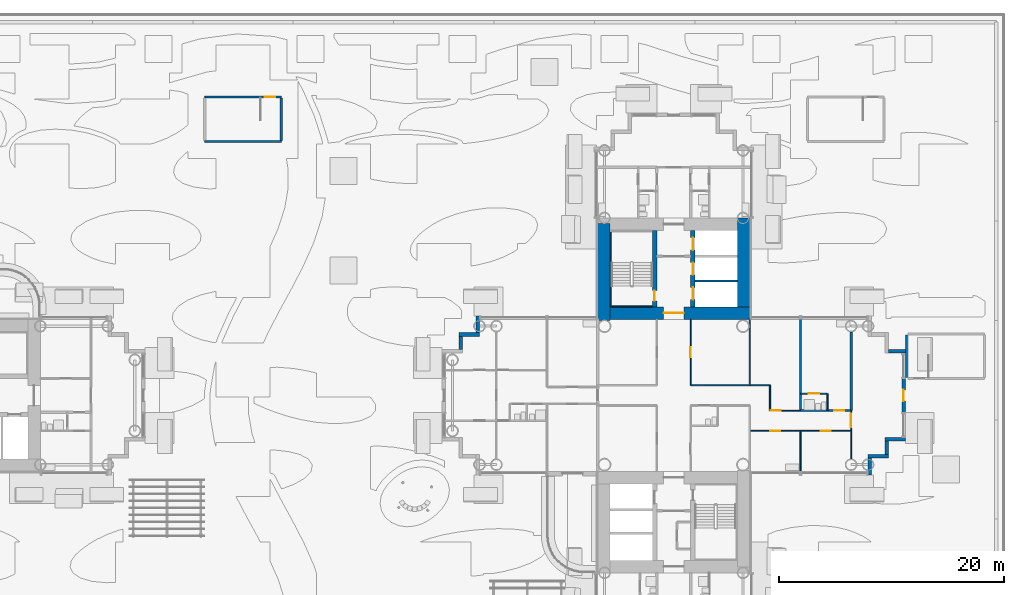
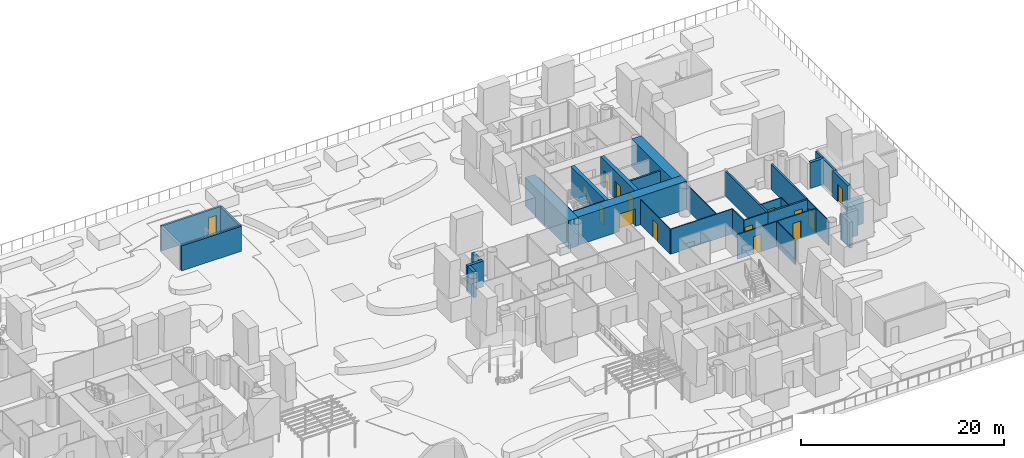
# One storey, part 29 of 40: 34 walls, 14 doors, 14 openings.
"""IFC4 building model written with IfcOpenShell, lengths in metres."""

from ifc_helpers import new_model, si_unit, direction, frame, frame_2d, origin, place, context, subcontext, project, spatial, rectangle, extrude, material, layer, layer_set, type_object, element, fill, save


model = new_model("IFC4")

# Units and contexts
model_context = context("Model", 3, precision=1e-05, world=origin(), true_north=direction((0.0, 1.0)))
body_context = subcontext(model_context, "Body", "Model", "MODEL_VIEW")
ifc_project = project(units=[si_unit("LENGTHUNIT", "METRE"), si_unit("AREAUNIT", "SQUARE_METRE"), si_unit("VOLUMEUNIT", "CUBIC_METRE"), si_unit("PLANEANGLEUNIT", "RADIAN"), si_unit("MASSUNIT", "GRAM", prefix="KILO")], contexts=[model_context])

# Site, building, storey
site_placement = place(None, origin())
site = spatial("IfcSite", under=ifc_project, at=site_placement, CompositionType="ELEMENT")
building_placement = place(site_placement, origin())
building = spatial("IfcBuilding", under=site, at=building_placement, Name="Ipe Terrace Towers", CompositionType="ELEMENT")
storey_placement = place(building_placement, frame((0.0, 0.0, 24.5)))
storey = spatial("IfcBuildingStorey", under=building, at=storey_placement, Name="L05", CompositionType="ELEMENT", Elevation=24.5)

# Walls
ifc_material_1 = material(Name="Concrete C40/50 with buff precast cladding", Category="concrete")
ifc_layer_1 = layer(ifc_material_1, 0.320068359375)
ifc_layer_set_1 = layer_set([ifc_layer_1], Name="BUFF CLADDING WALL 320")
wall_type_1 = type_object("IfcWallType", Name="BUFF CLADDING WALL 320", PredefinedType="STANDARD", material=ifc_layer_set_1)
wall_1_placement = place(storey_placement, frame((53.409912109375, -7.070068359375, 0.0), z_axis=(0.0, 0.0, 1.0), x_axis=(0.0, 1.0, 0.0)))
element("IfcWall", 1, at=wall_1_placement, inside=storey, type_object=wall_type_1, Name="T2-W-L05-08a wall", PredefinedType="STANDARD", context=body_context, shape_type="SweptSolid", body=[
    extrude(rectangle(XDim=1.5, YDim=0.320068359375, at=frame_2d((0.75, 0.0))), origin(), (0.0, 0.0, 1.0), 3.10009765625),
])
wall_2_placement = place(storey_placement, frame((53.25, -5.409912109375, 0.0), z_axis=(0.0, 0.0, 1.0), x_axis=(1.0, 0.0, 0.0)))
element("IfcWall", 2, at=wall_2_placement, inside=storey, type_object=wall_type_1, Name="T2-W-L05-09a wall", PredefinedType="STANDARD", context=body_context, shape_type="SweptSolid", body=[
    extrude(rectangle(XDim=1.820068359375, YDim=0.320068359375, at=frame_2d((0.91015625, 0.0))), origin(), (0.0, 0.0, 1.0), 3.10009765625),
])
wall_3_placement = place(storey_placement, frame((54.909912109375, -5.25, 0.0), z_axis=(0.0, 0.0, 1.0), x_axis=(0.0, 1.0, 0.0)))
element("IfcWall", 3, at=wall_3_placement, inside=storey, type_object=wall_type_1, Name="T2-W-L05-10a wall", PredefinedType="STANDARD", context=body_context, shape_type="SweptSolid", body=[
    extrude(rectangle(XDim=1.179931640625, YDim=0.320068359375, at=frame_2d((0.58984375, 0.0))), origin(), (0.0, 0.0, 1.0), 3.10009765625),
])
wall_4_placement = place(storey_placement, frame((54.75, -3.909912109375, 0.0), z_axis=(0.0, 0.0, 1.0), x_axis=(1.0, 0.0, 0.0)))
element("IfcWall", 4, at=wall_4_placement, inside=storey, type_object=wall_type_1, Name="T2-W-L05-11a wall", PredefinedType="STANDARD", context=body_context, shape_type="SweptSolid", body=[
    extrude(rectangle(XDim=1.820068359375, YDim=0.320068359375, at=frame_2d((0.91015625, 0.0))), origin(), (0.0, 0.0, 1.0), 3.10009765625),
])

# Wall, opening, door
wall_5_placement = place(storey_placement, frame((56.409912109375, -1.5, 0.0), z_axis=(0.0, 0.0, 1.0), x_axis=(0.0, 1.0, 0.0)))
wall_5 = element("IfcWall", 5, at=wall_5_placement, inside=storey, type_object=wall_type_1, Name="T2-W-L05-12b wall", PredefinedType="STANDARD", context=body_context, shape_type="SweptSolid", body=[
    extrude(rectangle(XDim=3.0, YDim=0.320068359375, at=frame_2d((1.5, 0.0))), origin(), (0.0, 0.0, 1.0), 3.10009765625),
])
opening_1_placement = place(wall_5_placement, frame((1.0, 0.0, 0.0)))
opening_1 = element("IfcOpeningElement", 6, at=opening_1_placement, cuts=wall_5, Name="Opening T2-D-L05-12", PredefinedType="OPENING", context=body_context, shape_type="SweptSolid", body=[
    extrude(rectangle(XDim=1.0, YDim=2.10009765625, at=frame_2d((0.5, 1.050048828125))), frame((0.0, 0.169921875, 0.0), z_axis=(0.0, -1.0, 0.0), x_axis=(1.0, 0.0, 0.0)), (0.0, 0.0, 1.0), 0.340087890625),
])
ifc_material_2 = material(Name="Aluminium alloy 6063-T6 framed glazed door", Category="aluminium")
door_type_1 = type_object("IfcDoorType", Name="TERRACE DOOR 1000 x 2100", OperationType="SINGLE_SWING_LEFT", PredefinedType="DOOR", material=ifc_material_2)
door_1_placement = place(opening_1_placement, origin())
door_1 = element("IfcDoor", 7, at=door_1_placement, inside=storey, type_object=door_type_1, Name="DT1 door", OperationType="SINGLE_SWING_LEFT", OverallHeight=2.10009765625, OverallWidth=1.0, PredefinedType="DOOR", context=body_context, shape_type="SweptSolid", body=[
    extrude(rectangle(XDim=1.0, YDim=2.10009765625, at=frame_2d((0.5, 1.050048828125))), frame((0.0, 0.02490234375, 0.0), z_axis=(0.0, -1.0, 0.0), x_axis=(1.0, 0.0, 0.0)), (0.0, 0.0, 1.0), 0.050048828125),
])
fill(opening_1, door_1)

# Walls
for number, where, z_axis, x_axis, name in (
    (8, (56.570068359375, 3.909912109375, 0.0), (0.0, 0.0, 1.0), (-1.0, 0.0, 0.0), "T2-W-L05-13a wall"),
    (9, (18.590087890625, 7.070068359375, 0.0), (0.0, 0.0, 1.0), (0.0, -1.0, 0.0), "T2-W-L05-34a wall"),
):
    element("IfcWall", number, at=place(storey_placement, frame(where, z_axis=z_axis, x_axis=x_axis)), inside=storey, type_object=wall_type_1, Name=name, PredefinedType="STANDARD", context=body_context, shape_type="SweptSolid", body=[
        extrude(rectangle(XDim=1.5, YDim=0.320068359375, at=frame_2d((0.75, 0.0))), origin(), (0.0, 0.0, 1.0), 3.10009765625),
    ])
wall_6_placement = place(storey_placement, frame((18.75, 5.409912109375, 0.0), z_axis=(0.0, 0.0, 1.0), x_axis=(-1.0, 0.0, 0.0)))
element("IfcWall", 10, at=wall_6_placement, inside=storey, type_object=wall_type_1, Name="T2-W-L05-35a wall", PredefinedType="STANDARD", context=body_context, shape_type="SweptSolid", body=[
    extrude(rectangle(XDim=1.820068359375, YDim=0.320068359375, at=frame_2d((0.91015625, 0.0))), origin(), (0.0, 0.0, 1.0), 3.10009765625),
])
wall_7_placement = place(storey_placement, frame((17.090087890625, 5.25, 0.0), z_axis=(0.0, 0.0, 1.0), x_axis=(0.0, -1.0, 0.0)))
element("IfcWall", 11, at=wall_7_placement, inside=storey, type_object=wall_type_1, Name="T2-W-L05-36a wall", PredefinedType="STANDARD", context=body_context, shape_type="SweptSolid", body=[
    extrude(rectangle(XDim=1.179931640625, YDim=0.320068359375, at=frame_2d((0.58984375, 0.0))), origin(), (0.0, 0.0, 1.0), 3.10009765625),
])

# Wall, openings, doors
ifc_material_3 = material(Name="Gypsum board partition", Category="plasterboard")
ifc_layer_2 = layer(ifc_material_3, 0.10009765625)
ifc_layer_set_2 = layer_set([ifc_layer_2], Name="Gypsum board partition 100 mm")
wall_type_2 = type_object("IfcWallType", Name="Gypsum board partition 100 mm", PredefinedType="PARTITIONING", material=ifc_layer_set_2)
wall_8_placement = place(storey_placement, frame((51.75, -3.14990234375, 0.0), z_axis=(0.0, 0.0, 1.0), x_axis=(-1.0, 0.0, 0.0)))
wall_8 = element("IfcWall", 12, at=wall_8_placement, inside=storey, type_object=wall_type_2, Name="Gypsum board partition T2 L05 W06", PredefinedType="PARTITIONING", context=body_context, shape_type="SweptSolid", body=[
    extrude(rectangle(XDim=9.0, YDim=0.10009765625, at=frame_2d((4.5, 0.0))), origin(), (0.0, 0.0, 1.0), 3.0),
])
opening_2_placement = place(wall_8_placement, frame((6.300048828125, 0.0, 0.0)))
opening_2 = element("IfcOpeningElement", 13, at=opening_2_placement, cuts=wall_8, Name="Opening T2-Z1A-19", PredefinedType="OPENING", context=body_context, shape_type="SweptSolid", body=[
    extrude(rectangle(XDim=0.89990234375, YDim=2.10009765625, at=frame_2d((0.449951171875, 1.050048828125))), frame((0.0, 0.06005859375, 0.0), z_axis=(0.0, -1.0, 0.0), x_axis=(1.0, 0.0, 0.0)), (0.0, 0.0, 1.0), 0.1201171875),
])
opening_3_placement = place(wall_8_placement, frame((1.800048828125, 0.0, 0.0)))
opening_3 = element("IfcOpeningElement", 14, at=opening_3_placement, cuts=wall_8, Name="Opening T2-Z1A-20", PredefinedType="OPENING", context=body_context, shape_type="SweptSolid", body=[
    extrude(rectangle(XDim=0.89990234375, YDim=2.10009765625, at=frame_2d((0.449951171875, 1.050048828125))), frame((0.0, 0.06005859375, 0.0), z_axis=(0.0, -1.0, 0.0), x_axis=(1.0, 0.0, 0.0)), (0.0, 0.0, 1.0), 0.1201171875),
])
ifc_material_4 = material(Name="Timber door leaf", Category="wood")
door_type_2 = type_object("IfcDoorType", Name="Lounge door 900 x 2100", OperationType="NOTDEFINED", PredefinedType="DOOR", material=ifc_material_4)
door_2_placement = place(opening_2_placement, origin())
door_2 = element("IfcDoor", 15, at=door_2_placement, inside=storey, type_object=door_type_2, Name="Lounge door T2-Z1A-19", OperationType="SINGLE_SWING_LEFT", OverallHeight=2.10009765625, OverallWidth=0.89990234375, PredefinedType="DOOR", context=body_context, shape_type="SweptSolid", body=[
    extrude(rectangle(XDim=0.89990234375, YDim=2.10009765625, at=frame_2d((0.449951171875, 1.050048828125))), frame((0.0, 0.02490234375, 0.0), z_axis=(0.0, -1.0, 0.0), x_axis=(1.0, 0.0, 0.0)), (0.0, 0.0, 1.0), 0.050048828125),
])
fill(opening_2, door_2)
door_3_placement = place(opening_3_placement, origin())
door_3 = element("IfcDoor", 16, at=door_3_placement, inside=storey, type_object=door_type_2, Name="Lounge door T2-Z1A-20", OperationType="SINGLE_SWING_RIGHT", OverallHeight=2.10009765625, OverallWidth=0.89990234375, PredefinedType="DOOR", context=body_context, shape_type="SweptSolid", body=[
    extrude(rectangle(XDim=0.89990234375, YDim=2.10009765625, at=frame_2d((0.449951171875, 1.050048828125))), frame((0.0, 0.02490234375, 0.0), z_axis=(0.0, -1.0, 0.0), x_axis=(1.0, 0.0, 0.0)), (0.0, 0.0, 1.0), 0.050048828125),
])
fill(opening_3, door_3)

# Wall, opening, door
wall_9_placement = place(storey_placement, frame((47.25, -1.35009765625, 0.0), z_axis=(0.0, 0.0, 1.0), x_axis=(-1.0, 0.0, 0.0)))
wall_9 = element("IfcWall", 17, at=wall_9_placement, inside=storey, type_object=wall_type_2, Name="Gypsum board partition T2 L05 W09", PredefinedType="PARTITIONING", context=body_context, shape_type="SweptSolid", body=[
    extrude(rectangle(XDim=2.699951171875, YDim=0.10009765625, at=frame_2d((1.35009765625, 0.0))), origin(), (0.0, 0.0, 1.0), 3.0),
])
opening_4_placement = place(wall_9_placement, frame((1.72998046875, 0.0, 0.0)))
opening_4 = element("IfcOpeningElement", 18, at=opening_4_placement, cuts=wall_9, Name="Opening T2-Z1A-16", PredefinedType="OPENING", context=body_context, shape_type="SweptSolid", body=[
    extrude(rectangle(XDim=0.89990234375, YDim=2.10009765625, at=frame_2d((0.449951171875, 1.050048828125))), frame((0.0, 0.06005859375, 0.0), z_axis=(0.0, -1.0, 0.0), x_axis=(1.0, 0.0, 0.0)), (0.0, 0.0, 1.0), 0.1201171875),
])
door_4_placement = place(opening_4_placement, origin())
door_4 = element("IfcDoor", 19, at=door_4_placement, inside=storey, type_object=door_type_2, Name="Lounge door T2-Z1A-16", OperationType="SINGLE_SWING_RIGHT", OverallHeight=2.10009765625, OverallWidth=0.89990234375, PredefinedType="DOOR", context=body_context, shape_type="SweptSolid", body=[
    extrude(rectangle(XDim=0.89990234375, YDim=2.10009765625, at=frame_2d((0.449951171875, 1.050048828125))), frame((0.0, 0.02490234375, 0.0), z_axis=(0.0, -1.0, 0.0), x_axis=(1.0, 0.0, 0.0)), (0.0, 0.0, 1.0), 0.050048828125),
])
fill(opening_4, door_4)

wall_10_placement = place(storey_placement, frame((49.64990234375, 0.14990234375, 0.0), z_axis=(0.0, 0.0, 1.0), x_axis=(-1.0, 0.0, 0.0)))
wall_10 = element("IfcWall", 20, at=wall_10_placement, inside=storey, type_object=wall_type_2, Name="Gypsum board partition T2 L05 W14", PredefinedType="PARTITIONING", context=body_context, shape_type="SweptSolid", body=[
    extrude(rectangle(XDim=2.39990234375, YDim=0.10009765625, at=frame_2d((1.199951171875, 0.0))), origin(), (0.0, 0.0, 1.0), 3.0),
])
opening_5_placement = place(wall_10_placement, frame((0.75, 0.0, 0.0)))
opening_5 = element("IfcOpeningElement", 21, at=opening_5_placement, cuts=wall_10, Name="Opening T2-Z1A-18", PredefinedType="OPENING", context=body_context, shape_type="SweptSolid", body=[
    extrude(rectangle(XDim=0.89990234375, YDim=2.10009765625, at=frame_2d((0.449951171875, 1.050048828125))), frame((0.0, 0.06005859375, 0.0), z_axis=(0.0, -1.0, 0.0), x_axis=(1.0, 0.0, 0.0)), (0.0, 0.0, 1.0), 0.1201171875),
])
ifc_material_5 = material(Name="Timber door leaf", Category="wood")
door_type_3 = type_object("IfcDoorType", Name="Bathroom door 900 x 2100", OperationType="NOTDEFINED", PredefinedType="DOOR", material=ifc_material_5)
door_5_placement = place(opening_5_placement, origin())
door_5 = element("IfcDoor", 22, at=door_5_placement, inside=storey, type_object=door_type_3, Name="Bathroom door T2-Z1A-18", OperationType="SINGLE_SWING_LEFT", OverallHeight=2.10009765625, OverallWidth=0.89990234375, PredefinedType="DOOR", context=body_context, shape_type="SweptSolid", body=[
    extrude(rectangle(XDim=0.89990234375, YDim=2.10009765625, at=frame_2d((0.449951171875, 1.050048828125))), frame((0.0, 0.02490234375, 0.0), z_axis=(0.0, -1.0, 0.0), x_axis=(1.0, 0.0, 0.0)), (0.0, 0.0, 1.0), 0.050048828125),
])
fill(opening_5, door_5)

# Wall
wall_11_placement = place(storey_placement, frame((44.550048828125, 0.89990234375, 0.0), z_axis=(0.0, 0.0, 1.0), x_axis=(-1.0, 0.0, 0.0)))
element("IfcWall", 23, at=wall_11_placement, inside=storey, type_object=wall_type_2, Name="Gypsum board partition T2 L05 W16", PredefinedType="PARTITIONING", context=body_context, shape_type="SweptSolid", body=[
    extrude(rectangle(XDim=7.050048828125, YDim=0.10009765625, at=frame_2d((3.52490234375, 0.0))), origin(), (0.0, 0.0, 1.0), 3.0),
])

# Wall, opening, door
wall_12_placement = place(storey_placement, frame((51.75, -5.64990234375, 0.0), z_axis=(0.0, 0.0, 1.0), x_axis=(0.0, 1.0, 0.0)))
wall_12 = element("IfcWall", 24, at=wall_12_placement, inside=storey, type_object=wall_type_2, Name="Gypsum board partition T2 L05 W24", PredefinedType="PARTITIONING", context=body_context, shape_type="SweptSolid", body=[
    extrude(rectangle(XDim=4.2998046875, YDim=0.10009765625, at=frame_2d((2.14990234375, 0.0))), origin(), (0.0, 0.0, 1.0), 3.0),
])
opening_6_placement = place(wall_12_placement, frame((2.800048828125, 0.0, 0.0)))
opening_6 = element("IfcOpeningElement", 25, at=opening_6_placement, cuts=wall_12, Name="Opening T2-Z1A-21", PredefinedType="OPENING", context=body_context, shape_type="SweptSolid", body=[
    extrude(rectangle(XDim=1.199951171875, YDim=2.10009765625, at=frame_2d((0.60009765625, 1.050048828125))), frame((0.0, 0.06005859375, 0.0), z_axis=(0.0, -1.0, 0.0), x_axis=(1.0, 0.0, 0.0)), (0.0, 0.0, 1.0), 0.1201171875),
])
ifc_material_6 = material(Name="Timber door leaf", Category="wood")
door_type_4 = type_object("IfcDoorType", Name="Lounge door 1200 x 2100", OperationType="NOTDEFINED", PredefinedType="DOOR", material=ifc_material_6)
door_6_placement = place(opening_6_placement, origin())
door_6 = element("IfcDoor", 26, at=door_6_placement, inside=storey, type_object=door_type_4, Name="Lounge door T2-Z1A-21", OperationType="SINGLE_SWING_RIGHT", OverallHeight=2.10009765625, OverallWidth=1.199951171875, PredefinedType="DOOR", context=body_context, shape_type="SweptSolid", body=[
    extrude(rectangle(XDim=1.199951171875, YDim=2.10009765625, at=frame_2d((0.60009765625, 1.050048828125))), frame((0.0, 0.02490234375, 0.0), z_axis=(0.0, -1.0, 0.0), x_axis=(1.0, 0.0, 0.0)), (0.0, 0.0, 1.0), 0.050048828125),
])
fill(opening_6, door_6)

# Walls
wall_13_placement = place(storey_placement, frame((49.64990234375, -1.35009765625, 0.0), z_axis=(0.0, 0.0, 1.0), x_axis=(0.0, 1.0, 0.0)))
element("IfcWall", 27, at=wall_13_placement, inside=storey, type_object=wall_type_2, Name="Gypsum board partition T2 L05 W26", PredefinedType="PARTITIONING", context=body_context, shape_type="SweptSolid", body=[
    extrude(rectangle(XDim=1.5, YDim=0.10009765625, at=frame_2d((0.75, 0.0))), origin(), (0.0, 0.0, 1.0), 3.0),
])
wall_14_placement = place(storey_placement, frame((47.25, -6.85009765625, 0.0), z_axis=(0.0, 0.0, 1.0), x_axis=(0.0, 1.0, 0.0)))
element("IfcWall", 28, at=wall_14_placement, inside=storey, type_object=wall_type_2, Name="Gypsum board partition T2 L05 W27", PredefinedType="PARTITIONING", context=body_context, shape_type="SweptSolid", body=[
    extrude(rectangle(XDim=3.7001953125, YDim=0.10009765625, at=frame_2d((1.85009765625, 0.0))), origin(), (0.0, 0.0, 1.0), 3.0),
])
wall_15_placement = place(storey_placement, frame((44.550048828125, -1.35009765625, 0.0), z_axis=(0.0, 0.0, 1.0), x_axis=(0.0, 1.0, 0.0)))
element("IfcWall", 29, at=wall_15_placement, inside=storey, type_object=wall_type_2, Name="Gypsum board partition T2 L05 W29", PredefinedType="PARTITIONING", context=body_context, shape_type="SweptSolid", body=[
    extrude(rectangle(XDim=2.25, YDim=0.10009765625, at=frame_2d((1.125, 0.0))), origin(), (0.0, 0.0, 1.0), 3.0),
])
wall_16_placement = place(storey_placement, frame((42.75, 0.89990234375, 0.0), z_axis=(0.0, 0.0, 1.0), x_axis=(0.0, 1.0, 0.0)))
element("IfcWall", 30, at=wall_16_placement, inside=storey, type_object=wall_type_2, Name="Gypsum board partition T2 L05 W31", PredefinedType="PARTITIONING", context=body_context, shape_type="SweptSolid", body=[
    extrude(rectangle(XDim=5.9501953125, YDim=0.10009765625, at=frame_2d((2.97509765625, 0.0))), origin(), (0.0, 0.0, 1.0), 3.0),
])

# Wall, opening, door
wall_17_placement = place(storey_placement, frame((37.5, 0.89990234375, 0.0), z_axis=(0.0, 0.0, 1.0), x_axis=(0.0, 1.0, 0.0)))
wall_17 = element("IfcWall", 31, at=wall_17_placement, inside=storey, type_object=wall_type_2, Name="Gypsum board partition T2 L05 W36", PredefinedType="PARTITIONING", context=body_context, shape_type="SweptSolid", body=[
    extrude(rectangle(XDim=5.85009765625, YDim=0.10009765625, at=frame_2d((2.925048828125, 0.0))), origin(), (0.0, 0.0, 1.0), 3.0),
])
opening_7_placement = place(wall_17_placement, frame((2.47509765625, 0.0, 0.0)))
opening_7 = element("IfcOpeningElement", 32, at=opening_7_placement, cuts=wall_17, Name="Opening T2-Z1A-05", PredefinedType="OPENING", context=body_context, shape_type="SweptSolid", body=[
    extrude(rectangle(XDim=0.89990234375, YDim=2.10009765625, at=frame_2d((0.449951171875, 1.050048828125))), frame((0.0, 0.06005859375, 0.0), z_axis=(0.0, -1.0, 0.0), x_axis=(1.0, 0.0, 0.0)), (0.0, 0.0, 1.0), 0.1201171875),
])
door_7_placement = place(opening_7_placement, origin())
door_7 = element("IfcDoor", 33, at=door_7_placement, inside=storey, type_object=door_type_2, Name="Lounge door T2-Z1A-05", OperationType="SINGLE_SWING_RIGHT", OverallHeight=2.10009765625, OverallWidth=0.89990234375, PredefinedType="DOOR", context=body_context, shape_type="SweptSolid", body=[
    extrude(rectangle(XDim=0.89990234375, YDim=2.10009765625, at=frame_2d((0.449951171875, 1.050048828125))), frame((0.0, 0.02490234375, 0.0), z_axis=(0.0, -1.0, 0.0), x_axis=(1.0, 0.0, 0.0)), (0.0, 0.0, 1.0), 0.050048828125),
])
fill(opening_7, door_7)

# Wall
ifc_material_7 = material(Name="Gypsum board party wall", Category="plasterboard")
ifc_layer_3 = layer(ifc_material_7, 0.199951171875)
ifc_layer_set_3 = layer_set([ifc_layer_3], Name="Gypsum board party wall 200 mm")
wall_type_3 = type_object("IfcWallType", Name="Gypsum board party wall 200 mm", PredefinedType="SOLIDWALL", material=ifc_layer_set_3)
wall_18_placement = place(storey_placement, frame((41.64990234375, 10.14990234375, 0.0), z_axis=(0.0, 0.0, 1.0), x_axis=(-1.0, 0.0, 0.0)))
element("IfcWall", 34, at=wall_18_placement, inside=storey, type_object=wall_type_3, Name="Gypsum board party wall T2 L05 t2c1-shaft-div1", PredefinedType="SOLIDWALL", context=body_context, shape_type="SweptSolid", body=[
    extrude(rectangle(XDim=3.75, YDim=0.199951171875, at=frame_2d((1.875, 0.0))), origin(), (0.0, 0.0, 1.0), 3.0),
])

# Wall, opening, door
wall_19_placement = place(storey_placement, frame((51.75, -1.35009765625, 0.0), z_axis=(0.0, 0.0, 1.0), x_axis=(-1.0, 0.0, 0.0)))
wall_19 = element("IfcWall", 35, at=wall_19_placement, inside=storey, type_object=wall_type_3, Name="Gypsum board party wall T2 L05 W10", PredefinedType="SOLIDWALL", context=body_context, shape_type="SweptSolid", body=[
    extrude(rectangle(XDim=4.5, YDim=0.199951171875, at=frame_2d((2.25, 0.0))), origin(), (0.0, 0.0, 1.0), 3.0),
])
opening_8_placement = place(wall_19_placement, frame((0.60009765625, 0.0, 0.0)))
opening_8 = element("IfcOpeningElement", 36, at=opening_8_placement, cuts=wall_19, Name="Opening T2-Z1A-17", PredefinedType="OPENING", context=body_context, shape_type="SweptSolid", body=[
    extrude(rectangle(XDim=0.89990234375, YDim=2.10009765625, at=frame_2d((0.449951171875, 1.050048828125))), frame((0.0, 0.10986328125, 0.0), z_axis=(0.0, -1.0, 0.0), x_axis=(1.0, 0.0, 0.0)), (0.0, 0.0, 1.0), 0.219970703125),
])
ifc_material_8 = material(Name="Fire-rated timber door leaf", Category="wood")
door_type_5 = type_object("IfcDoorType", Name="Flat entrance door 900 x 2100 FD30S", OperationType="NOTDEFINED", PredefinedType="DOOR", material=ifc_material_8)
door_8_placement = place(opening_8_placement, origin())
door_8 = element("IfcDoor", 37, at=door_8_placement, inside=storey, type_object=door_type_5, Name="Flat entrance door T2-Z1A-17", OperationType="SINGLE_SWING_LEFT", OverallHeight=2.10009765625, OverallWidth=0.89990234375, PredefinedType="DOOR", context=body_context, shape_type="SweptSolid", body=[
    extrude(rectangle(XDim=0.89990234375, YDim=2.10009765625, at=frame_2d((0.449951171875, 1.050048828125))), frame((0.0, 0.02490234375, 0.0), z_axis=(0.0, -1.0, 0.0), x_axis=(1.0, 0.0, 0.0)), (0.0, 0.0, 1.0), 0.050048828125),
])
fill(opening_8, door_8)

# Walls
wall_20_placement = place(storey_placement, frame((51.75, -1.35009765625, 0.0), z_axis=(0.0, 0.0, 1.0), x_axis=(0.0, 1.0, 0.0)))
element("IfcWall", 38, at=wall_20_placement, inside=storey, type_object=wall_type_3, Name="Gypsum board party wall T2 L05 W25", PredefinedType="SOLIDWALL", context=body_context, shape_type="SweptSolid", body=[
    extrude(rectangle(XDim=7.0, YDim=0.199951171875, at=frame_2d((3.5, 0.0))), origin(), (0.0, 0.0, 1.0), 3.0),
])
wall_21_placement = place(storey_placement, frame((47.25, -1.35009765625, 0.0), z_axis=(0.0, 0.0, 1.0), x_axis=(0.0, 1.0, 0.0)))
element("IfcWall", 39, at=wall_21_placement, inside=storey, type_object=wall_type_3, Name="Gypsum board party wall T2 L05 W28", PredefinedType="SOLIDWALL", context=body_context, shape_type="SweptSolid", body=[
    extrude(rectangle(XDim=8.2001953125, YDim=0.199951171875, at=frame_2d((4.10009765625, 0.0))), origin(), (0.0, 0.0, 1.0), 3.0),
])
ifc_material_9 = material(Name="Concrete C60/75", Category="concrete")
ifc_layer_4 = layer(ifc_material_9, 0.10009765625)
ifc_layer_set_4 = layer_set([ifc_layer_4], Name="RW100 CORE INFILL WALL 100 C60-75")
wall_type_4 = type_object("IfcWallType", Name="RW100 CORE INFILL WALL 100 C60-75", PredefinedType="SHEAR", material=ifc_layer_set_4)
wall_22_placement = place(storey_placement, frame((30.39990234375, 7.949951171875, 0.0), z_axis=(0.0, 0.0, 1.0), x_axis=(0.0, 1.0, 0.0)))
element("IfcWall", 40, at=wall_22_placement, inside=storey, type_object=wall_type_4, Name="Core infill wall T2-C1-back", PredefinedType="SHEAR", context=body_context, shape_type="SweptSolid", body=[
    extrude(rectangle(XDim=6.60009765625, YDim=0.10009765625, at=frame_2d((3.300048828125, 0.0))), origin(), (0.0, 0.0, 1.0), 3.39990234375),
])
wall_23_placement = place(storey_placement, frame((34.10009765625, 7.89990234375, 0.0), z_axis=(0.0, 0.0, 1.0), x_axis=(-1.0, 0.0, 0.0)))
element("IfcWall", 41, at=wall_23_placement, inside=storey, type_object=wall_type_4, Name="Core infill wall T2-C1-near", PredefinedType="SHEAR", context=body_context, shape_type="SweptSolid", body=[
    extrude(rectangle(XDim=3.75, YDim=0.10009765625, at=frame_2d((1.875, 0.0))), origin(), (0.0, 0.0, 1.0), 3.39990234375),
])

# Wall, opening, door
ifc_material_10 = material(Name="Concrete C60/75", Category="concrete")
ifc_layer_5 = layer(ifc_material_10, 1.10009765625)
ifc_layer_set_5 = layer_set([ifc_layer_5], Name="RW1100 CORE WALL 1100 C60-75")
wall_type_5 = type_object("IfcWallType", Name="RW1100 CORE WALL 1100 C60-75", PredefinedType="SHEAR", material=ifc_layer_set_5)
wall_24_placement = place(storey_placement, frame((30.35009765625, 7.300048828125, 0.0), z_axis=(0.0, 0.0, 1.0), x_axis=(1.0, 0.0, 0.0)))
wall_24 = element("IfcWall", 42, at=wall_24_placement, inside=storey, type_object=wall_type_5, Name="Core wall T2-C1-Z1-W01", PredefinedType="SHEAR", context=body_context, shape_type="SweptSolid", body=[
    extrude(rectangle(XDim=12.39990234375, YDim=1.10009765625, at=frame_2d((6.199951171875, 0.0))), origin(), (0.0, 0.0, 1.0), 3.39990234375),
])
opening_9_placement = place(wall_24_placement, frame((4.75, 0.0, 0.0)))
opening_9 = element("IfcOpeningElement", 43, at=opening_9_placement, cuts=wall_24, Name="Opening T2C1-ND", PredefinedType="OPENING", context=body_context, shape_type="SweptSolid", body=[
    extrude(rectangle(XDim=1.800048828125, YDim=2.10009765625, at=frame_2d((0.89990234375, 1.050048828125))), frame((0.0, 0.56005859375, 0.0), z_axis=(0.0, -1.0, 0.0), x_axis=(1.0, 0.0, 0.0)), (0.0, 0.0, 1.0), 1.1201171875),
])
ifc_material_11 = material(Name="Fire-rated timber door leaf", Category="wood")
door_type_6 = type_object("IfcDoorType", Name="Fire door 1800 x 2100 FD30S", OperationType="NOTDEFINED", PredefinedType="DOOR", material=ifc_material_11)
door_9_placement = place(opening_9_placement, origin())
door_9 = element("IfcDoor", 44, at=door_9_placement, inside=storey, type_object=door_type_6, Name="Fire door T2C1-ND", OperationType="SINGLE_SWING_LEFT", OverallHeight=2.10009765625, OverallWidth=1.800048828125, PredefinedType="DOOR", context=body_context, shape_type="SweptSolid", body=[
    extrude(rectangle(XDim=1.800048828125, YDim=2.10009765625, at=frame_2d((0.89990234375, 1.050048828125))), frame((0.0, 0.02490234375, 0.0), z_axis=(0.0, -1.0, 0.0), x_axis=(1.0, 0.0, 0.0)), (0.0, 0.0, 1.0), 0.050048828125),
])
fill(opening_9, door_9)

# Walls
wall_25_placement = place(storey_placement, frame((42.199951171875, 7.85009765625, 0.0), z_axis=(0.0, 0.0, 1.0), x_axis=(0.0, 1.0, 0.0)))
element("IfcWall", 45, at=wall_25_placement, inside=storey, type_object=wall_type_5, Name="Core wall T2-C1-Z1-W02", PredefinedType="SHEAR", context=body_context, shape_type="SweptSolid", body=[
    extrude(rectangle(XDim=7.89990234375, YDim=1.10009765625, at=frame_2d((3.949951171875, 0.0))), origin(), (0.0, 0.0, 1.0), 3.39990234375),
])
wall_26_placement = place(storey_placement, frame((29.800048828125, 15.248046875, 0.0), z_axis=(0.0, 0.0, 1.0), x_axis=(0.0, -1.0, 0.0)))
element("IfcWall", 46, at=wall_26_placement, inside=storey, type_object=wall_type_5, Name="Core wall T2-C1-Z1-W04", PredefinedType="SHEAR", context=body_context, shape_type="SweptSolid", body=[
    extrude(rectangle(XDim=8.595947265625, YDim=1.10009765625, at=frame_2d((4.2978515625, 0.0))), origin(), (0.0, 0.0, 1.0), 3.39990234375),
])

# Wall, opening, door
ifc_material_12 = material(Name="Concrete C40/50", Category="concrete")
ifc_layer_6 = layer(ifc_material_12, 0.199951171875)
ifc_layer_set_6 = layer_set([ifc_layer_6], Name="RW200 PODIUM STAIR SHAFT WALL 200 C40-50")
wall_type_6 = type_object("IfcWallType", Name="RW200 PODIUM STAIR SHAFT WALL 200 C40-50", PredefinedType="SHEAR", material=ifc_layer_set_6)
wall_27_placement = place(storey_placement, frame((-5.64990234375, 26.5, 0.0), z_axis=(0.0, 0.0, 1.0), x_axis=(1.0, 0.0, 0.0)))
wall_27 = element("IfcWall", 47, at=wall_27_placement, inside=storey, type_object=wall_type_6, Name="Stair shaft wall T1 L05 ps2-c", PredefinedType="SHEAR", context=body_context, shape_type="SweptSolid", body=[
    extrude(rectangle(XDim=6.7998046875, YDim=0.199951171875, at=frame_2d((3.39990234375, 0.0))), origin(), (0.0, 0.0, 1.0), 3.0),
])
opening_10_placement = place(wall_27_placement, frame((5.35009765625, 0.0, 0.0)))
opening_10 = element("IfcOpeningElement", 48, at=opening_10_placement, cuts=wall_27, Name="Opening PS2-SD", PredefinedType="OPENING", context=body_context, shape_type="SweptSolid", body=[
    extrude(rectangle(XDim=0.89990234375, YDim=2.10009765625, at=frame_2d((0.449951171875, 1.050048828125))), frame((0.0, 0.10986328125, 0.0), z_axis=(0.0, -1.0, 0.0), x_axis=(1.0, 0.0, 0.0)), (0.0, 0.0, 1.0), 0.219970703125),
])
ifc_material_13 = material(Name="Fire-rated timber door leaf", Category="wood")
door_type_7 = type_object("IfcDoorType", Name="Stair door 900 x 2100 FD60", OperationType="NOTDEFINED", PredefinedType="DOOR", material=ifc_material_13)
door_10_placement = place(opening_10_placement, origin())
door_10 = element("IfcDoor", 49, at=door_10_placement, inside=storey, type_object=door_type_7, Name="Stair door PS2-SD", OperationType="SINGLE_SWING_LEFT", OverallHeight=2.10009765625, OverallWidth=0.89990234375, PredefinedType="DOOR", context=body_context, shape_type="SweptSolid", body=[
    extrude(rectangle(XDim=0.89990234375, YDim=2.10009765625, at=frame_2d((0.449951171875, 1.050048828125))), frame((0.0, 0.02490234375, 0.0), z_axis=(0.0, -1.0, 0.0), x_axis=(1.0, 0.0, 0.0)), (0.0, 0.0, 1.0), 0.050048828125),
])
fill(opening_10, door_10)

# Walls
wall_28_placement = place(storey_placement, frame((-5.64990234375, 22.550048828125, 0.0), z_axis=(0.0, 0.0, 1.0), x_axis=(1.0, 0.0, 0.0)))
element("IfcWall", 50, at=wall_28_placement, inside=storey, type_object=wall_type_6, Name="Stair shaft wall T1 L05 ps2-f", PredefinedType="SHEAR", context=body_context, shape_type="SweptSolid", body=[
    extrude(rectangle(XDim=6.7998046875, YDim=0.199951171875, at=frame_2d((3.39990234375, 0.0))), origin(), (0.0, 0.0, 1.0), 3.0),
])
for number, where, z_axis, x_axis, name in (
    (51, (1.14990234375, 22.64990234375, 0.0), (0.0, 0.0, 1.0), (0.0, 1.0, 0.0), "Stair shaft wall T1 L05 ps2-e"),
    (52, (56.659912109375, 1.60009765625, 0.0), (0.0, 0.0, 1.0), (0.0, 1.0, 0.0), "Stair shaft wall T2 L05 ps8-w"),
):
    element("IfcWall", number, at=place(storey_placement, frame(where, z_axis=z_axis, x_axis=x_axis)), inside=storey, type_object=wall_type_6, Name=name, PredefinedType="SHEAR", context=body_context, shape_type="SweptSolid", body=[
        extrude(rectangle(XDim=3.75, YDim=0.199951171875, at=frame_2d((1.875, 0.0))), origin(), (0.0, 0.0, 1.0), 3.0),
    ])

# Wall, opening, door
ifc_material_14 = material(Name="Concrete C60/75", Category="concrete")
ifc_layer_7 = layer(ifc_material_14, 0.39990234375)
ifc_layer_set_7 = layer_set([ifc_layer_7], Name="RW400 CORE SPINE WALL 400 C60-75")
wall_type_7 = type_object("IfcWallType", Name="RW400 CORE SPINE WALL 400 C60-75", PredefinedType="SHEAR", material=ifc_layer_set_7)
wall_29_placement = place(storey_placement, frame((34.300048828125, 7.85009765625, 0.0), z_axis=(0.0, 0.0, 1.0), x_axis=(0.0, 1.0, 0.0)))
wall_29 = element("IfcWall", 53, at=wall_29_placement, inside=storey, type_object=wall_type_7, Name="Core spine wall T2-C1-Z1-SW1", PredefinedType="SHEAR", context=body_context, shape_type="SweptSolid", body=[
    extrude(rectangle(XDim=6.7998046875, YDim=0.39990234375, at=frame_2d((3.39990234375, 0.0))), origin(), (0.0, 0.0, 1.0), 3.39990234375),
])
opening_11_placement = place(wall_29_placement, frame((0.550048828125, 0.0, 0.0)))
opening_11 = element("IfcOpeningElement", 54, at=opening_11_placement, cuts=wall_29, Name="Opening T2C1-SD", PredefinedType="OPENING", context=body_context, shape_type="SweptSolid", body=[
    extrude(rectangle(XDim=0.89990234375, YDim=2.10009765625, at=frame_2d((0.449951171875, 1.050048828125))), frame((0.0, 0.2099609375, 0.0), z_axis=(0.0, -1.0, 0.0), x_axis=(1.0, 0.0, 0.0)), (0.0, 0.0, 1.0), 0.419921875),
])
door_11_placement = place(opening_11_placement, origin())
door_11 = element("IfcDoor", 55, at=door_11_placement, inside=storey, type_object=door_type_7, Name="Stair door T2C1-SD", OperationType="SINGLE_SWING_LEFT", OverallHeight=2.10009765625, OverallWidth=0.89990234375, PredefinedType="DOOR", context=body_context, shape_type="SweptSolid", body=[
    extrude(rectangle(XDim=0.89990234375, YDim=2.10009765625, at=frame_2d((0.449951171875, 1.050048828125))), frame((0.0, 0.02490234375, 0.0), z_axis=(0.0, -1.0, 0.0), x_axis=(1.0, 0.0, 0.0)), (0.0, 0.0, 1.0), 0.050048828125),
])
fill(opening_11, door_11)

# Wall, openings, doors
wall_30_placement = place(storey_placement, frame((37.699951171875, 7.85009765625, 0.0), z_axis=(0.0, 0.0, 1.0), x_axis=(0.0, 1.0, 0.0)))
wall_30 = element("IfcWall", 56, at=wall_30_placement, inside=storey, type_object=wall_type_7, Name="Core spine wall T2-C1-Z1-SW2", PredefinedType="SHEAR", context=body_context, shape_type="SweptSolid", body=[
    extrude(rectangle(XDim=6.7998046875, YDim=0.39990234375, at=frame_2d((3.39990234375, 0.0))), origin(), (0.0, 0.0, 1.0), 3.39990234375),
])
opening_12_placement = place(wall_30_placement, frame((0.64990234375, 0.0, 0.0)))
opening_12 = element("IfcOpeningElement", 57, at=opening_12_placement, cuts=wall_30, Name="Opening T2C1-LD1", PredefinedType="OPENING", context=body_context, shape_type="SweptSolid", body=[
    extrude(rectangle(XDim=1.10009765625, YDim=2.10009765625, at=frame_2d((0.550048828125, 1.050048828125))), frame((0.0, 0.2099609375, 0.0), z_axis=(0.0, -1.0, 0.0), x_axis=(1.0, 0.0, 0.0)), (0.0, 0.0, 1.0), 0.419921875),
])
opening_13_placement = place(wall_30_placement, frame((2.85009765625, 0.0, 0.0)))
opening_13 = element("IfcOpeningElement", 58, at=opening_13_placement, cuts=wall_30, Name="Opening T2C1-LD2", PredefinedType="OPENING", context=body_context, shape_type="SweptSolid", body=[
    extrude(rectangle(XDim=1.10009765625, YDim=2.10009765625, at=frame_2d((0.550048828125, 1.050048828125))), frame((0.0, 0.2099609375, 0.0), z_axis=(0.0, -1.0, 0.0), x_axis=(1.0, 0.0, 0.0)), (0.0, 0.0, 1.0), 0.419921875),
])
opening_14_placement = place(wall_30_placement, frame((5.050048828125, 0.0, 0.0)))
opening_14 = element("IfcOpeningElement", 59, at=opening_14_placement, cuts=wall_30, Name="Opening T2C1-LD3", PredefinedType="OPENING", context=body_context, shape_type="SweptSolid", body=[
    extrude(rectangle(XDim=1.10009765625, YDim=2.10009765625, at=frame_2d((0.550048828125, 1.050048828125))), frame((0.0, 0.2099609375, 0.0), z_axis=(0.0, -1.0, 0.0), x_axis=(1.0, 0.0, 0.0)), (0.0, 0.0, 1.0), 0.419921875),
])
ifc_material_15 = material(Name="Fire-rated timber door leaf", Category="wood")
door_type_8 = type_object("IfcDoorType", Name="Sliding door 1100 x 2100 FD60", OperationType="SLIDING_TO_LEFT", PredefinedType="DOOR", material=ifc_material_15)
door_12_placement = place(opening_12_placement, origin())
door_12 = element("IfcDoor", 60, at=door_12_placement, inside=storey, type_object=door_type_8, Name="Sliding door T2C1-LD1", OperationType="SLIDING_TO_LEFT", OverallHeight=2.10009765625, OverallWidth=1.10009765625, PredefinedType="DOOR", context=body_context, shape_type="SweptSolid", body=[
    extrude(rectangle(XDim=1.10009765625, YDim=2.10009765625, at=frame_2d((0.550048828125, 1.050048828125))), frame((0.0, 0.02490234375, 0.0), z_axis=(0.0, -1.0, 0.0), x_axis=(1.0, 0.0, 0.0)), (0.0, 0.0, 1.0), 0.050048828125),
])
fill(opening_12, door_12)
door_13_placement = place(opening_13_placement, origin())
door_13 = element("IfcDoor", 61, at=door_13_placement, inside=storey, type_object=door_type_8, Name="Sliding door T2C1-LD2", OperationType="SLIDING_TO_LEFT", OverallHeight=2.10009765625, OverallWidth=1.10009765625, PredefinedType="DOOR", context=body_context, shape_type="SweptSolid", body=[
    extrude(rectangle(XDim=1.10009765625, YDim=2.10009765625, at=frame_2d((0.550048828125, 1.050048828125))), frame((0.0, 0.02490234375, 0.0), z_axis=(0.0, -1.0, 0.0), x_axis=(1.0, 0.0, 0.0)), (0.0, 0.0, 1.0), 0.050048828125),
])
fill(opening_13, door_13)
door_14_placement = place(opening_14_placement, origin())
door_14 = element("IfcDoor", 62, at=door_14_placement, inside=storey, type_object=door_type_8, Name="Sliding door T2C1-LD3", OperationType="SLIDING_TO_LEFT", OverallHeight=2.10009765625, OverallWidth=1.10009765625, PredefinedType="DOOR", context=body_context, shape_type="SweptSolid", body=[
    extrude(rectangle(XDim=1.10009765625, YDim=2.10009765625, at=frame_2d((0.550048828125, 1.050048828125))), frame((0.0, 0.02490234375, 0.0), z_axis=(0.0, -1.0, 0.0), x_axis=(1.0, 0.0, 0.0)), (0.0, 0.0, 1.0), 0.050048828125),
])
fill(opening_14, door_14)

save(model, "model.ifc")
